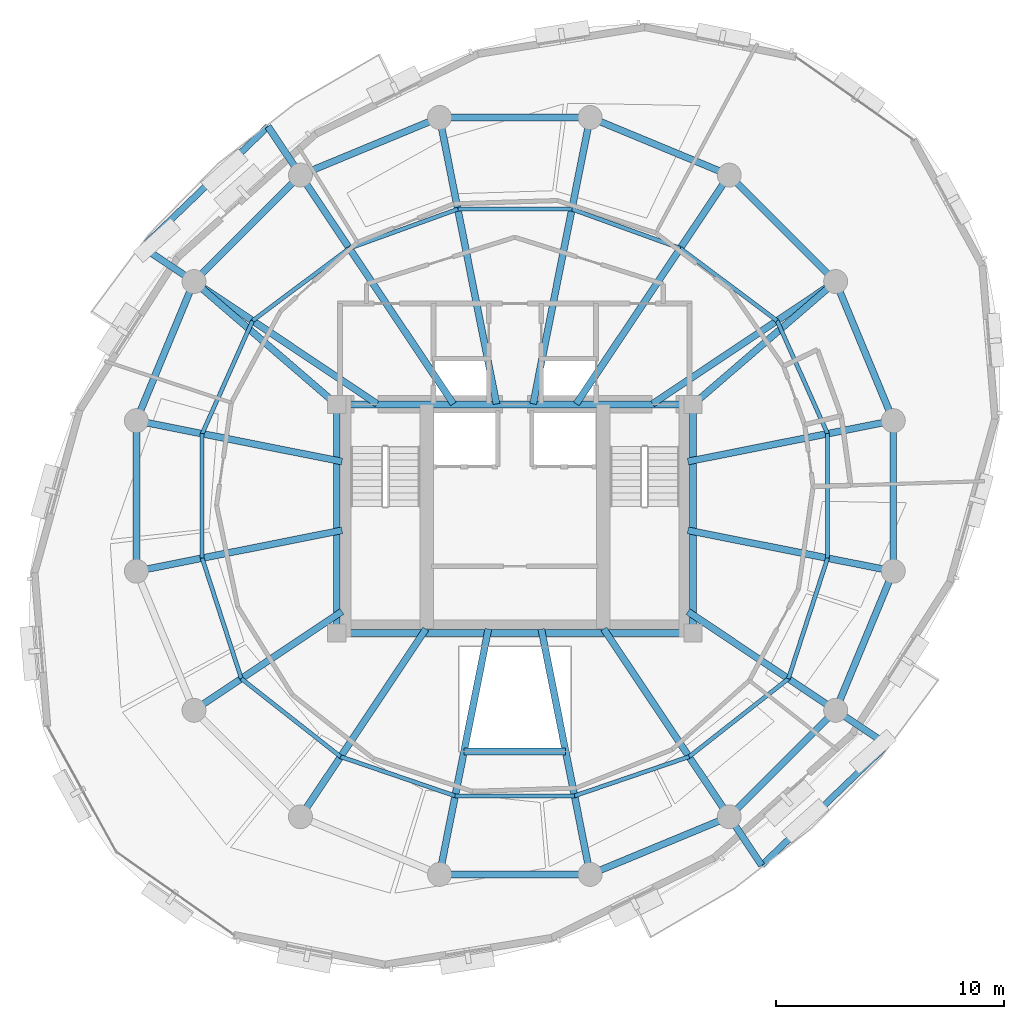
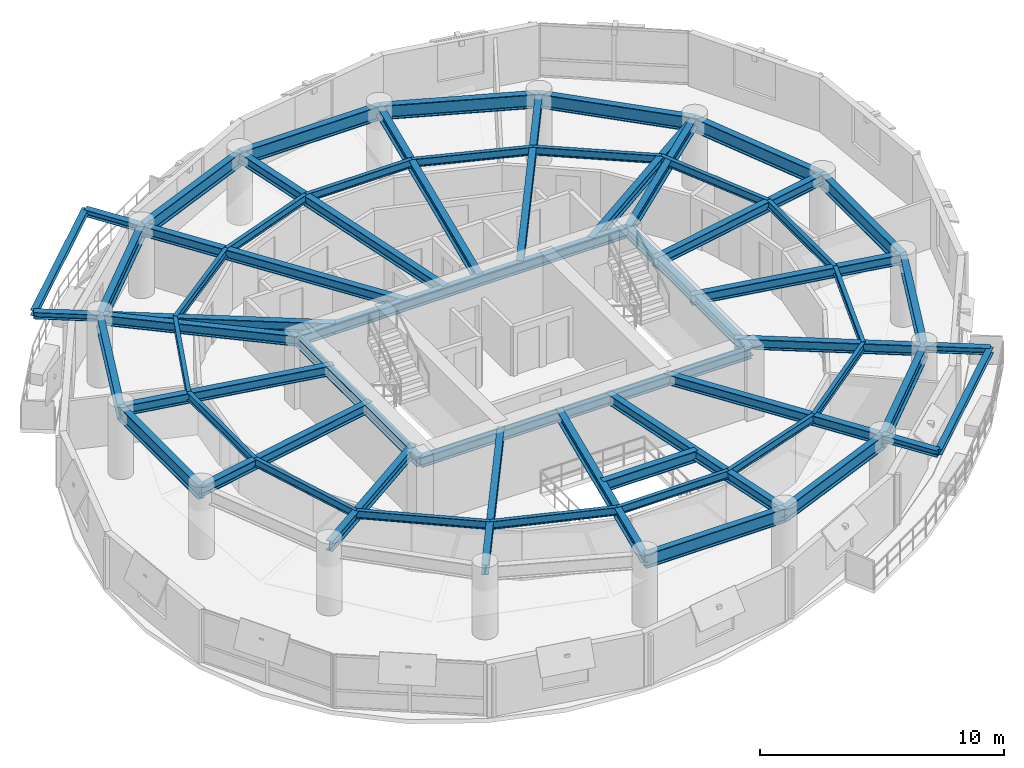
# One storey, part 5 of 12: 58 beams.
"""IFC4 building model written with IfcOpenShell, lengths in metres."""

from ifc_helpers import new_model, si_unit, direction, frame, origin, origin_2d, place, context, subcontext, project, spatial, i_section, extrude, material, material_profile, profile_set, type_object, element, save


model = new_model("IFC4")

# Units and contexts
model_context = context("Model", 3, precision=1e-05, world=origin(), true_north=direction((0.0, 1.0)))
body_context = subcontext(model_context, "Body", "Model", "MODEL_VIEW")
ifc_project = project(units=[si_unit("LENGTHUNIT", "METRE"), si_unit("AREAUNIT", "SQUARE_METRE"), si_unit("VOLUMEUNIT", "CUBIC_METRE"), si_unit("PLANEANGLEUNIT", "RADIAN"), si_unit("MASSUNIT", "GRAM", prefix="KILO"), si_unit("THERMODYNAMICTEMPERATUREUNIT", "KELVIN"), si_unit("POWERUNIT", "WATT")], contexts=[model_context])

# Site, building, storey
site_placement = place(None, origin())
site = spatial("IfcSite", under=ifc_project, at=site_placement, CompositionType="ELEMENT")
building_placement = place(site_placement, origin())
building = spatial("IfcBuilding", under=site, at=building_placement, Name="Ocrelia Relay Tower", CompositionType="ELEMENT")
storey_placement = place(building_placement, frame((0.0, 0.0, 206.0)))
storey = spatial("IfcBuildingStorey", under=building, at=storey_placement, Name="L50", CompositionType="ELEMENT", Elevation=206.0)

# Beams
ifc_material = material(Name="Steel S355", Category="steel")
ifc_material_profile_1 = material_profile(ifc_material, i_section(OverallWidth=0.280029296875, OverallDepth=0.27001953125, WebThickness=0.008056640625, FlangeThickness=0.012939453125, FilletRadius=0.02392578125, at=origin_2d()), Name="HEA 280")
ifc_profile_set_1 = profile_set([ifc_material_profile_1], Name="Steel S355")
beam_type_1 = type_object("IfcBeamType", Name="BM-HEA280", PredefinedType="BEAM", material=ifc_profile_set_1)
for number, where, z_axis, x_axis, name in (
    (1, (23.189453125, 42.17919921875, 3.2451171875), (-0.721259333791, -0.692665123577, 0.0), (0.692665123577, -0.721259333791, 0.0), "L51 Balcony Edge Trimmer Beam B1"),
    (2, (44.810546875, 9.82080078125, 3.2451171875), (0.721259333791, 0.692665123577, 0.0), (-0.692665123577, 0.721259333791, 0.0), "L51 Balcony Edge Trimmer Beam B2"),
):
    element("IfcBeam", number, at=place(storey_placement, frame(where, z_axis=z_axis, x_axis=x_axis)), inside=storey, type_object=beam_type_1, Name=name, PredefinedType="BEAM", context=body_context, shape_type="SweptSolid", body=[
        extrude(i_section(OverallWidth=0.280029296875, OverallDepth=0.27001953125, WebThickness=0.008056640625, FlangeThickness=0.012939453125, FilletRadius=0.02392578125, at=origin_2d()), origin(), (0.0, 0.0, 1.0), 7.62451171875),
    ])
ifc_material_profile_2 = material_profile(ifc_material, i_section(OverallWidth=0.300048828125, OverallDepth=0.330078125, WebThickness=0.009521484375, FlangeThickness=0.0166015625, FilletRadius=0.027099609375, at=origin_2d()), Name="HEA 340")
ifc_profile_set_2 = profile_set([ifc_material_profile_2], Name="Steel S355")
beam_type_2 = type_object("IfcBeamType", Name="BM-HEA340", PredefinedType="BEAM", material=ifc_profile_set_2)
beam_1_placement = place(storey_placement, frame((24.61083984375, 40.0517578125, 3.215087890625), z_axis=(-0.555536677891, 0.831492032144, 0.0), x_axis=(-0.831492032144, -0.555536677891, 0.0)))
element("IfcBeam", 3, at=beam_1_placement, inside=storey, type_object=beam_type_2, Name="L51 Balcony Cantilever Beam B1-1", PredefinedType="BEAM", context=body_context, shape_type="SweptSolid", body=[
    extrude(i_section(OverallWidth=0.300048828125, OverallDepth=0.330078125, WebThickness=0.009521484375, FlangeThickness=0.0166015625, FilletRadius=0.027099609375, at=origin_2d()), origin(), (0.0, 0.0, 1.0), 2.55859375),
])
beam_2_placement = place(storey_placement, frame((19.9482421875, 35.38916015625, 3.215087890625), z_axis=(-0.831468957085, 0.555571213621, 0.0), x_axis=(-0.555571213621, -0.831468957085, 0.0)))
element("IfcBeam", 4, at=beam_2_placement, inside=storey, type_object=beam_type_2, Name="L51 Balcony Cantilever Beam B1-2", PredefinedType="BEAM", context=body_context, shape_type="SweptSolid", body=[
    extrude(i_section(OverallWidth=0.300048828125, OverallDepth=0.330078125, WebThickness=0.009521484375, FlangeThickness=0.0166015625, FilletRadius=0.027099609375, at=origin_2d()), origin(), (0.0, 0.0, 1.0), 2.7158203125),
])
beam_3_placement = place(storey_placement, frame((43.38916015625, 11.9482421875, 3.215087890625), z_axis=(0.555536677891, -0.831492032144, 0.0), x_axis=(0.831492032144, 0.555536677891, 0.0)))
element("IfcBeam", 5, at=beam_3_placement, inside=storey, type_object=beam_type_2, Name="L51 Balcony Cantilever Beam B2-1", PredefinedType="BEAM", context=body_context, shape_type="SweptSolid", body=[
    extrude(i_section(OverallWidth=0.300048828125, OverallDepth=0.330078125, WebThickness=0.009521484375, FlangeThickness=0.0166015625, FilletRadius=0.027099609375, at=origin_2d()), origin(), (0.0, 0.0, 1.0), 2.55859375),
])
beam_4_placement = place(storey_placement, frame((48.0517578125, 16.61083984375, 3.215087890625), z_axis=(0.831468957085, -0.555571213621, 0.0), x_axis=(0.555571213621, 0.831468957085, 0.0)))
element("IfcBeam", 6, at=beam_4_placement, inside=storey, type_object=beam_type_2, Name="L51 Balcony Cantilever Beam B2-2", PredefinedType="BEAM", context=body_context, shape_type="SweptSolid", body=[
    extrude(i_section(OverallWidth=0.300048828125, OverallDepth=0.330078125, WebThickness=0.009521484375, FlangeThickness=0.0166015625, FilletRadius=0.027099609375, at=origin_2d()), origin(), (0.0, 0.0, 1.0), 2.7158203125),
])
ifc_material_profile_3 = material_profile(ifc_material, i_section(OverallWidth=0.300048828125, OverallDepth=0.5, WebThickness=0.014404296875, FlangeThickness=0.028076171875, FilletRadius=0.027099609375, at=origin_2d()), Name="HEB 500")
ifc_profile_set_3 = profile_set([ifc_material_profile_3], Name="Steel S355")
beam_type_3 = type_object("IfcBeamType", Name="BM-HEB500", PredefinedType="BEAM", material=ifc_profile_set_3)
for number, where, z_axis, x_axis, name in (
    (7, (26.199951171875, 20.0, 3.1298828125), (1.0, 0.0, 0.0), (0.0, 1.0, 0.0), "L50 Core Pilaster Tie Beam S"),
    (8, (26.199951171875, 30.0, 3.1298828125), (1.0, 0.0, 0.0), (0.0, 1.0, 0.0), "L50 Core Pilaster Tie Beam N"),
):
    element("IfcBeam", number, at=place(storey_placement, frame(where, z_axis=z_axis, x_axis=x_axis)), inside=storey, type_object=beam_type_3, Name=name, PredefinedType="BEAM", context=body_context, shape_type="SweptSolid", body=[
        extrude(i_section(OverallWidth=0.300048828125, OverallDepth=0.5, WebThickness=0.014404296875, FlangeThickness=0.028076171875, FilletRadius=0.027099609375, at=origin_2d()), origin(), (0.0, 0.0, 1.0), 15.60009765625),
    ])
for number, where, z_axis, x_axis, name in (
    (9, (26.199951171875, 20.0, 3.1298828125), (0.0, 1.0, 0.0), (-1.0, 0.0, 0.0), "L50 Core Pilaster Tie Beam W"),
    (10, (41.800048828125, 20.0, 3.1298828125), (0.0, 1.0, 0.0), (-1.0, 0.0, 0.0), "L50 Core Pilaster Tie Beam E"),
):
    element("IfcBeam", number, at=place(storey_placement, frame(where, z_axis=z_axis, x_axis=x_axis)), inside=storey, type_object=beam_type_3, Name=name, PredefinedType="BEAM", context=body_context, shape_type="SweptSolid", body=[
        extrude(i_section(OverallWidth=0.300048828125, OverallDepth=0.5, WebThickness=0.014404296875, FlangeThickness=0.028076171875, FilletRadius=0.027099609375, at=origin_2d()), origin(), (0.0, 0.0, 1.0), 10.0),
    ])
beam_5_placement = place(storey_placement, frame((50.5751953125, 29.297119140625, 3.1298828125), z_axis=(-0.980783891197, -0.1950973059, 0.0), x_axis=(0.1950973059, -0.980783891197, 0.0)))
element("IfcBeam", 11, at=beam_5_placement, inside=storey, type_object=beam_type_3, Name="L50 Radial Floor Girder R01", PredefinedType="BEAM", context=body_context, shape_type="SweptSolid", body=[
    extrude(i_section(OverallWidth=0.300048828125, OverallDepth=0.5, WebThickness=0.014404296875, FlangeThickness=0.028076171875, FilletRadius=0.027099609375, at=origin_2d()), origin(), (0.0, 0.0, 1.0), 9.17138671875),
])
beam_6_placement = place(storey_placement, frame((48.0517578125, 35.38916015625, 3.1298828125), z_axis=(-0.831469666235, -0.555570152305, 0.0), x_axis=(0.555570152305, -0.831469666235, 0.0)))
element("IfcBeam", 12, at=beam_6_placement, inside=storey, type_object=beam_type_3, Name="L50 Radial Floor Girder R02", PredefinedType="BEAM", context=body_context, shape_type="SweptSolid", body=[
    extrude(i_section(OverallWidth=0.300048828125, OverallDepth=0.5, WebThickness=0.014404296875, FlangeThickness=0.028076171875, FilletRadius=0.027099609375, at=origin_2d()), origin(), (0.0, 0.0, 1.0), 9.646240234375),
])
beam_7_placement = place(storey_placement, frame((48.0517578125, 35.38916015625, 3.1298828125), z_axis=(-0.757424589403, -0.652922653434, 0.0), x_axis=(0.652922653434, -0.757424589403, 0.0)))
element("IfcBeam", 13, at=beam_7_placement, inside=storey, type_object=beam_type_3, Name="L50 Core Pilaster Frame Tie Beam PT02", PredefinedType="BEAM", context=body_context, shape_type="SweptSolid", body=[
    extrude(i_section(OverallWidth=0.300048828125, OverallDepth=0.5, WebThickness=0.014404296875, FlangeThickness=0.028076171875, FilletRadius=0.027099609375, at=origin_2d()), origin(), (0.0, 0.0, 1.0), 8.25390625),
])
beam_8_placement = place(storey_placement, frame((43.38916015625, 40.0517578125, 3.1298828125), z_axis=(-0.55556932408, -0.831470219636, 0.0), x_axis=(0.831470219636, -0.55556932408, 0.0)))
element("IfcBeam", 14, at=beam_8_placement, inside=storey, type_object=beam_type_3, Name="L50 Radial Floor Girder R03", PredefinedType="BEAM", context=body_context, shape_type="SweptSolid", body=[
    extrude(i_section(OverallWidth=0.300048828125, OverallDepth=0.5, WebThickness=0.014404296875, FlangeThickness=0.028076171875, FilletRadius=0.027099609375, at=origin_2d()), origin(), (0.0, 0.0, 1.0), 12.052978515625),
])
for number, where, z_axis, x_axis, name in (
    (15, (37.297119140625, 42.5751953125, 3.1298828125), (-0.195106626135, -0.980782037171, 0.0), (0.980782037171, -0.195106626135, 0.0), "L50 Radial Floor Girder R04"),
    (16, (30.702880859375, 42.5751953125, 3.1298828125), (0.195106626135, -0.980782037171, 0.0), (0.980782037171, 0.195106626135, 0.0), "L50 Radial Floor Girder R05"),
):
    element("IfcBeam", number, at=place(storey_placement, frame(where, z_axis=z_axis, x_axis=x_axis)), inside=storey, type_object=beam_type_3, Name=name, PredefinedType="BEAM", context=body_context, shape_type="SweptSolid", body=[
        extrude(i_section(OverallWidth=0.300048828125, OverallDepth=0.5, WebThickness=0.014404296875, FlangeThickness=0.028076171875, FilletRadius=0.027099609375, at=origin_2d()), origin(), (0.0, 0.0, 1.0), 12.791015625),
    ])
beam_9_placement = place(storey_placement, frame((24.61083984375, 40.0517578125, 3.1298828125), z_axis=(0.55556932408, -0.831470219636, 0.0), x_axis=(0.831470219636, 0.55556932408, 0.0)))
element("IfcBeam", 17, at=beam_9_placement, inside=storey, type_object=beam_type_3, Name="L50 Radial Floor Girder R06", PredefinedType="BEAM", context=body_context, shape_type="SweptSolid", body=[
    extrude(i_section(OverallWidth=0.300048828125, OverallDepth=0.5, WebThickness=0.014404296875, FlangeThickness=0.028076171875, FilletRadius=0.027099609375, at=origin_2d()), origin(), (0.0, 0.0, 1.0), 12.052978515625),
])
beam_10_placement = place(storey_placement, frame((19.9482421875, 35.38916015625, 3.1298828125), z_axis=(0.831469666235, -0.555570152305, 0.0), x_axis=(0.555570152305, 0.831469666235, 0.0)))
element("IfcBeam", 18, at=beam_10_placement, inside=storey, type_object=beam_type_3, Name="L50 Radial Floor Girder R07", PredefinedType="BEAM", context=body_context, shape_type="SweptSolid", body=[
    extrude(i_section(OverallWidth=0.300048828125, OverallDepth=0.5, WebThickness=0.014404296875, FlangeThickness=0.028076171875, FilletRadius=0.027099609375, at=origin_2d()), origin(), (0.0, 0.0, 1.0), 9.646240234375),
])
beam_11_placement = place(storey_placement, frame((19.9482421875, 35.38916015625, 3.1298828125), z_axis=(0.757424589403, -0.652922653434, 0.0), x_axis=(0.652922653434, 0.757424589403, 0.0)))
element("IfcBeam", 19, at=beam_11_placement, inside=storey, type_object=beam_type_3, Name="L50 Core Pilaster Frame Tie Beam PT07", PredefinedType="BEAM", context=body_context, shape_type="SweptSolid", body=[
    extrude(i_section(OverallWidth=0.300048828125, OverallDepth=0.5, WebThickness=0.014404296875, FlangeThickness=0.028076171875, FilletRadius=0.027099609375, at=origin_2d()), origin(), (0.0, 0.0, 1.0), 8.25390625),
])
for number, where, z_axis, x_axis, name in (
    (20, (17.4248046875, 29.297119140625, 3.1298828125), (0.980784683446, -0.195093323097, 0.0), (0.195093323097, 0.980784683446, 0.0), "L50 Radial Floor Girder R08"),
    (21, (17.4248046875, 22.702880859375, 3.1298828125), (0.980784683446, 0.195093323097, 0.0), (-0.195093323097, 0.980784683446, 0.0), "L50 Radial Floor Girder R09"),
):
    element("IfcBeam", number, at=place(storey_placement, frame(where, z_axis=z_axis, x_axis=x_axis)), inside=storey, type_object=beam_type_3, Name=name, PredefinedType="BEAM", context=body_context, shape_type="SweptSolid", body=[
        extrude(i_section(OverallWidth=0.300048828125, OverallDepth=0.5, WebThickness=0.014404296875, FlangeThickness=0.028076171875, FilletRadius=0.027099609375, at=origin_2d()), origin(), (0.0, 0.0, 1.0), 9.181640625),
    ])
beam_12_placement = place(storey_placement, frame((19.9482421875, 16.61083984375, 3.1298828125), z_axis=(0.831462012084, 0.555581607382, 0.0), x_axis=(-0.555581607382, 0.831462012084, 0.0)))
element("IfcBeam", 22, at=beam_12_placement, inside=storey, type_object=beam_type_3, Name="L50 Radial Floor Girder R10", PredefinedType="BEAM", context=body_context, shape_type="SweptSolid", body=[
    extrude(i_section(OverallWidth=0.300048828125, OverallDepth=0.5, WebThickness=0.014404296875, FlangeThickness=0.028076171875, FilletRadius=0.027099609375, at=origin_2d()), origin(), (0.0, 0.0, 1.0), 7.795654296875),
])
beam_13_placement = place(storey_placement, frame((24.61083984375, 11.9482421875, 3.1298828125), z_axis=(0.555577337069, 0.831464865485, 0.0), x_axis=(-0.831464865485, 0.555577337069, 0.0)))
element("IfcBeam", 23, at=beam_13_placement, inside=storey, type_object=beam_type_3, Name="L50 Radial Floor Girder R11", PredefinedType="BEAM", context=body_context, shape_type="SweptSolid", body=[
    extrude(i_section(OverallWidth=0.300048828125, OverallDepth=0.5, WebThickness=0.014404296875, FlangeThickness=0.028076171875, FilletRadius=0.027099609375, at=origin_2d()), origin(), (0.0, 0.0, 1.0), 9.88818359375),
])
for number, where, z_axis, x_axis, name in (
    (24, (30.702880859375, 9.4248046875, 3.1298828125), (0.195100373206, 0.980783281044, 0.0), (-0.980783281044, 0.195100373206, 0.0), "L50 Radial Floor Girder R12"),
    (25, (37.297119140625, 9.4248046875, 3.1298828125), (-0.195100373206, 0.980783281044, 0.0), (-0.980783281044, -0.195100373206, 0.0), "L50 Radial Floor Girder R13"),
):
    element("IfcBeam", number, at=place(storey_placement, frame(where, z_axis=z_axis, x_axis=x_axis)), inside=storey, type_object=beam_type_3, Name=name, PredefinedType="BEAM", context=body_context, shape_type="SweptSolid", body=[
        extrude(i_section(OverallWidth=0.300048828125, OverallDepth=0.5, WebThickness=0.014404296875, FlangeThickness=0.028076171875, FilletRadius=0.027099609375, at=origin_2d()), origin(), (0.0, 0.0, 1.0), 10.95556640625),
    ])
beam_14_placement = place(storey_placement, frame((43.38916015625, 11.9482421875, 3.1298828125), z_axis=(-0.555577337069, 0.831464865485, 0.0), x_axis=(-0.831464865485, -0.555577337069, 0.0)))
element("IfcBeam", 26, at=beam_14_placement, inside=storey, type_object=beam_type_3, Name="L50 Radial Floor Girder R14", PredefinedType="BEAM", context=body_context, shape_type="SweptSolid", body=[
    extrude(i_section(OverallWidth=0.300048828125, OverallDepth=0.5, WebThickness=0.014404296875, FlangeThickness=0.028076171875, FilletRadius=0.027099609375, at=origin_2d()), origin(), (0.0, 0.0, 1.0), 9.88818359375),
])
beam_15_placement = place(storey_placement, frame((48.0517578125, 16.61083984375, 3.1298828125), z_axis=(-0.831456272244, 0.555590197309, 0.0), x_axis=(-0.555590197309, -0.831456272244, 0.0)))
element("IfcBeam", 27, at=beam_15_placement, inside=storey, type_object=beam_type_3, Name="L50 Radial Floor Girder R15", PredefinedType="BEAM", context=body_context, shape_type="SweptSolid", body=[
    extrude(i_section(OverallWidth=0.300048828125, OverallDepth=0.5, WebThickness=0.014404296875, FlangeThickness=0.028076171875, FilletRadius=0.027099609375, at=origin_2d()), origin(), (0.0, 0.0, 1.0), 7.783447265625),
])
beam_16_placement = place(storey_placement, frame((50.5751953125, 22.702880859375, 3.1298828125), z_axis=(-0.980783891197, 0.1950973059, 0.0), x_axis=(-0.1950973059, -0.980783891197, 0.0)))
element("IfcBeam", 28, at=beam_16_placement, inside=storey, type_object=beam_type_3, Name="L50 Radial Floor Girder R16", PredefinedType="BEAM", context=body_context, shape_type="SweptSolid", body=[
    extrude(i_section(OverallWidth=0.300048828125, OverallDepth=0.5, WebThickness=0.014404296875, FlangeThickness=0.028076171875, FilletRadius=0.027099609375, at=origin_2d()), origin(), (0.0, 0.0, 1.0), 9.17138671875),
])
ifc_material_profile_4 = material_profile(ifc_material, i_section(OverallWidth=0.300048828125, OverallDepth=0.550048828125, WebThickness=0.014892578125, FlangeThickness=0.029052734375, FilletRadius=0.027099609375, at=origin_2d()), Name="HEB 550")
ifc_profile_set_4 = profile_set([ifc_material_profile_4], Name="Steel S355")
beam_type_4 = type_object("IfcBeamType", Name="BM-HEB550", PredefinedType="BEAM", material=ifc_profile_set_4)
beam_17_placement = place(storey_placement, frame((31.772216796875, 14.800048828125, 3.10498046875), z_axis=(1.0, 0.0, 0.0), x_axis=(0.0, 1.0, 0.0)))
element("IfcBeam", 29, at=beam_17_placement, inside=storey, type_object=beam_type_4, Name="L50 Atrium South Trimmer Beam", PredefinedType="BEAM", context=body_context, shape_type="SweptSolid", body=[
    extrude(i_section(OverallWidth=0.300048828125, OverallDepth=0.550048828125, WebThickness=0.014892578125, FlangeThickness=0.029052734375, FilletRadius=0.027099609375, at=origin_2d()), origin(), (0.0, 0.0, 1.0), 4.45556640625),
])
ifc_material_profile_5 = material_profile(ifc_material, i_section(OverallWidth=0.300048828125, OverallDepth=0.699951171875, WebThickness=0.01708984375, FlangeThickness=0.031982421875, FilletRadius=0.027099609375, at=origin_2d()), Name="HEB 700")
ifc_profile_set_5 = profile_set([ifc_material_profile_5], Name="Steel S355")
beam_type_5 = type_object("IfcBeamType", Name="BM-HEB700", PredefinedType="BEAM", material=ifc_profile_set_5)
for number, where, z_axis, x_axis, name in (
    (30, (50.5751953125, 29.297119140625, 3.030029296875), (-0.382687508402, 0.923877844151, 0.0), (-0.923877844151, -0.382687508402, 0.0), "L50 Perimeter Spandrel Beam S01"),
    (31, (48.0517578125, 35.38916015625, 3.030029296875), (-0.707106781187, 0.707106781187, 0.0), (-0.707106781187, -0.707106781187, 0.0), "L50 Perimeter Spandrel Beam S02"),
    (32, (43.38916015625, 40.0517578125, 3.030029296875), (-0.923877844151, 0.382687508402, 0.0), (-0.382687508402, -0.923877844151, 0.0), "L50 Perimeter Spandrel Beam S03"),
):
    element("IfcBeam", number, at=place(storey_placement, frame(where, z_axis=z_axis, x_axis=x_axis)), inside=storey, type_object=beam_type_5, Name=name, PredefinedType="BEAM", context=body_context, shape_type="SweptSolid", body=[
        extrude(i_section(OverallWidth=0.300048828125, OverallDepth=0.699951171875, WebThickness=0.01708984375, FlangeThickness=0.031982421875, FilletRadius=0.027099609375, at=origin_2d()), origin(), (0.0, 0.0, 1.0), 6.593994140625),
    ])
beam_18_placement = place(storey_placement, frame((37.297119140625, 42.5751953125, 3.030029296875), z_axis=(-1.0, 0.0, 0.0), x_axis=(0.0, -1.0, 0.0)))
element("IfcBeam", 33, at=beam_18_placement, inside=storey, type_object=beam_type_5, Name="L50 Perimeter Spandrel Beam S04", PredefinedType="BEAM", context=body_context, shape_type="SweptSolid", body=[
    extrude(i_section(OverallWidth=0.300048828125, OverallDepth=0.699951171875, WebThickness=0.01708984375, FlangeThickness=0.031982421875, FilletRadius=0.027099609375, at=origin_2d()), origin(), (0.0, 0.0, 1.0), 6.59423828125),
])
for number, where, z_axis, x_axis, name in (
    (34, (30.702880859375, 42.5751953125, 3.030029296875), (-0.923877844151, -0.382687508402, 0.0), (0.382687508402, -0.923877844151, 0.0), "L50 Perimeter Spandrel Beam S05"),
    (35, (24.61083984375, 40.0517578125, 3.030029296875), (-0.707106781187, -0.707106781187, 0.0), (0.707106781187, -0.707106781187, 0.0), "L50 Perimeter Spandrel Beam S06"),
    (36, (19.9482421875, 35.38916015625, 3.030029296875), (-0.382687508402, -0.923877844151, 0.0), (0.923877844151, -0.382687508402, 0.0), "L50 Perimeter Spandrel Beam S07"),
):
    element("IfcBeam", number, at=place(storey_placement, frame(where, z_axis=z_axis, x_axis=x_axis)), inside=storey, type_object=beam_type_5, Name=name, PredefinedType="BEAM", context=body_context, shape_type="SweptSolid", body=[
        extrude(i_section(OverallWidth=0.300048828125, OverallDepth=0.699951171875, WebThickness=0.01708984375, FlangeThickness=0.031982421875, FilletRadius=0.027099609375, at=origin_2d()), origin(), (0.0, 0.0, 1.0), 6.593994140625),
    ])
for number, where, z_axis, x_axis, name in (
    (37, (17.4248046875, 29.297119140625, 3.030029296875), (0.0, -1.0, 0.0), (1.0, 0.0, 0.0), "L50 Perimeter Spandrel Beam S08"),
    (38, (30.702880859375, 9.4248046875, 3.030029296875), (1.0, 0.0, 0.0), (0.0, 1.0, 0.0), "L50 Perimeter Spandrel Beam S12"),
):
    element("IfcBeam", number, at=place(storey_placement, frame(where, z_axis=z_axis, x_axis=x_axis)), inside=storey, type_object=beam_type_5, Name=name, PredefinedType="BEAM", context=body_context, shape_type="SweptSolid", body=[
        extrude(i_section(OverallWidth=0.300048828125, OverallDepth=0.699951171875, WebThickness=0.01708984375, FlangeThickness=0.031982421875, FilletRadius=0.027099609375, at=origin_2d()), origin(), (0.0, 0.0, 1.0), 6.59423828125),
    ])
for number, where, z_axis, x_axis, name in (
    (39, (37.297119140625, 9.4248046875, 3.030029296875), (0.923877844151, 0.382687508402, 0.0), (-0.382687508402, 0.923877844151, 0.0), "L50 Perimeter Spandrel Beam S13"),
    (40, (43.38916015625, 11.9482421875, 3.030029296875), (0.707106781187, 0.707106781187, 0.0), (-0.707106781187, 0.707106781187, 0.0), "L50 Perimeter Spandrel Beam S14"),
    (41, (48.0517578125, 16.61083984375, 3.030029296875), (0.382687508402, 0.923877844151, 0.0), (-0.923877844151, 0.382687508402, 0.0), "L50 Perimeter Spandrel Beam S15"),
):
    element("IfcBeam", number, at=place(storey_placement, frame(where, z_axis=z_axis, x_axis=x_axis)), inside=storey, type_object=beam_type_5, Name=name, PredefinedType="BEAM", context=body_context, shape_type="SweptSolid", body=[
        extrude(i_section(OverallWidth=0.300048828125, OverallDepth=0.699951171875, WebThickness=0.01708984375, FlangeThickness=0.031982421875, FilletRadius=0.027099609375, at=origin_2d()), origin(), (0.0, 0.0, 1.0), 6.593994140625),
    ])
beam_19_placement = place(storey_placement, frame((50.5751953125, 22.702880859375, 3.030029296875), z_axis=(0.0, 1.0, 0.0), x_axis=(-1.0, 0.0, 0.0)))
element("IfcBeam", 42, at=beam_19_placement, inside=storey, type_object=beam_type_5, Name="L50 Perimeter Spandrel Beam S16", PredefinedType="BEAM", context=body_context, shape_type="SweptSolid", body=[
    extrude(i_section(OverallWidth=0.300048828125, OverallDepth=0.699951171875, WebThickness=0.01708984375, FlangeThickness=0.031982421875, FilletRadius=0.027099609375, at=origin_2d()), origin(), (0.0, 0.0, 1.0), 6.59423828125),
])
ifc_material_profile_6 = material_profile(ifc_material, i_section(OverallWidth=0.179931640625, OverallDepth=0.39990234375, WebThickness=0.008544921875, FlangeThickness=0.013427734375, FilletRadius=0.02099609375, at=origin_2d()), Name="IPE 400")
ifc_profile_set_6 = profile_set([ifc_material_profile_6], Name="Steel S355")
beam_type_6 = type_object("IfcBeamType", Name="BM-IPE400", PredefinedType="JOIST", material=ifc_profile_set_6)
beam_20_placement = place(storey_placement, frame((47.69677734375, 28.724365234375, 3.179931640625), z_axis=(-0.407938464853, 0.913009424318, 0.0), x_axis=(-0.913009424318, -0.407938464853, 0.0)))
element("IfcBeam", 43, at=beam_20_placement, inside=storey, type_object=beam_type_6, Name="L50 Secondary Floor Joist J01", PredefinedType="JOIST", context=body_context, shape_type="SweptSolid", body=[
    extrude(i_section(OverallWidth=0.179931640625, OverallDepth=0.39990234375, WebThickness=0.008544921875, FlangeThickness=0.013427734375, FilletRadius=0.02099609375, at=origin_2d()), origin(), (0.0, 0.0, 1.0), 5.421630859375),
])
beam_21_placement = place(storey_placement, frame((45.485107421875, 33.67431640625, 3.179931640625), z_axis=(-0.800785247359, 0.598951573678, 0.0), x_axis=(-0.598951573678, -0.800785247359, 0.0)))
element("IfcBeam", 44, at=beam_21_placement, inside=storey, type_object=beam_type_6, Name="L50 Secondary Floor Joist J02", PredefinedType="JOIST", context=body_context, shape_type="SweptSolid", body=[
    extrude(i_section(OverallWidth=0.179931640625, OverallDepth=0.39990234375, WebThickness=0.008544921875, FlangeThickness=0.013427734375, FilletRadius=0.02099609375, at=origin_2d()), origin(), (0.0, 0.0, 1.0), 5.293212890625),
])
beam_22_placement = place(storey_placement, frame((41.246337890625, 36.8447265625, 3.179931640625), z_axis=(-0.940453871246, 0.339921338046, 0.0), x_axis=(-0.339921338046, -0.940453871246, 0.0)))
element("IfcBeam", 45, at=beam_22_placement, inside=storey, type_object=beam_type_6, Name="L50 Secondary Floor Joist J03", PredefinedType="JOIST", context=body_context, shape_type="SweptSolid", body=[
    extrude(i_section(OverallWidth=0.179931640625, OverallDepth=0.39990234375, WebThickness=0.008544921875, FlangeThickness=0.013427734375, FilletRadius=0.02099609375, at=origin_2d()), origin(), (0.0, 0.0, 1.0), 5.04833984375),
])
beam_23_placement = place(storey_placement, frame((36.49853515625, 38.560791015625, 3.179931640625), z_axis=(-1.0, 0.0, 0.0), x_axis=(0.0, -1.0, 0.0)))
element("IfcBeam", 46, at=beam_23_placement, inside=storey, type_object=beam_type_6, Name="L50 Secondary Floor Joist J04", PredefinedType="JOIST", context=body_context, shape_type="SweptSolid", body=[
    extrude(i_section(OverallWidth=0.179931640625, OverallDepth=0.39990234375, WebThickness=0.008544921875, FlangeThickness=0.013427734375, FilletRadius=0.02099609375, at=origin_2d()), origin(), (0.0, 0.0, 1.0), 4.9970703125),
])
beam_24_placement = place(storey_placement, frame((31.50146484375, 38.560791015625, 3.179931640625), z_axis=(-0.940453871246, -0.339921338046, 0.0), x_axis=(0.339921338046, -0.940453871246, 0.0)))
element("IfcBeam", 47, at=beam_24_placement, inside=storey, type_object=beam_type_6, Name="L50 Secondary Floor Joist J05", PredefinedType="JOIST", context=body_context, shape_type="SweptSolid", body=[
    extrude(i_section(OverallWidth=0.179931640625, OverallDepth=0.39990234375, WebThickness=0.008544921875, FlangeThickness=0.013427734375, FilletRadius=0.02099609375, at=origin_2d()), origin(), (0.0, 0.0, 1.0), 5.04833984375),
])
beam_25_placement = place(storey_placement, frame((26.753662109375, 36.8447265625, 3.179931640625), z_axis=(-0.800785247359, -0.598951573678, 0.0), x_axis=(0.598951573678, -0.800785247359, 0.0)))
element("IfcBeam", 48, at=beam_25_placement, inside=storey, type_object=beam_type_6, Name="L50 Secondary Floor Joist J06", PredefinedType="JOIST", context=body_context, shape_type="SweptSolid", body=[
    extrude(i_section(OverallWidth=0.179931640625, OverallDepth=0.39990234375, WebThickness=0.008544921875, FlangeThickness=0.013427734375, FilletRadius=0.02099609375, at=origin_2d()), origin(), (0.0, 0.0, 1.0), 5.293212890625),
])
beam_26_placement = place(storey_placement, frame((22.514892578125, 33.67431640625, 3.179931640625), z_axis=(-0.407416785709, -0.913242335157, 0.0), x_axis=(0.913242335157, -0.407416785709, 0.0)))
element("IfcBeam", 49, at=beam_26_placement, inside=storey, type_object=beam_type_6, Name="L50 Secondary Floor Joist J07", PredefinedType="JOIST", context=body_context, shape_type="SweptSolid", body=[
    extrude(i_section(OverallWidth=0.179931640625, OverallDepth=0.39990234375, WebThickness=0.008544921875, FlangeThickness=0.013427734375, FilletRadius=0.02099609375, at=origin_2d()), origin(), (0.0, 0.0, 1.0), 5.420654296875),
])
beam_27_placement = place(storey_placement, frame((20.306396484375, 28.723876953125, 3.179931640625), z_axis=(0.0, -1.0, 0.0), x_axis=(1.0, 0.0, 0.0)))
element("IfcBeam", 50, at=beam_27_placement, inside=storey, type_object=beam_type_6, Name="L50 Secondary Floor Joist J08", PredefinedType="JOIST", context=body_context, shape_type="SweptSolid", body=[
    extrude(i_section(OverallWidth=0.179931640625, OverallDepth=0.39990234375, WebThickness=0.008544921875, FlangeThickness=0.013427734375, FilletRadius=0.02099609375, at=origin_2d()), origin(), (0.0, 0.0, 1.0), 5.44775390625),
])
beam_28_placement = place(storey_placement, frame((20.306396484375, 23.276123046875, 3.179931640625), z_axis=(0.309133805786, -0.951018554036, 0.0), x_axis=(0.951018554036, 0.309133805786, 0.0)))
element("IfcBeam", 51, at=beam_28_placement, inside=storey, type_object=beam_type_6, Name="L50 Secondary Floor Joist J09", PredefinedType="JOIST", context=body_context, shape_type="SweptSolid", body=[
    extrude(i_section(OverallWidth=0.179931640625, OverallDepth=0.39990234375, WebThickness=0.008544921875, FlangeThickness=0.013427734375, FilletRadius=0.02099609375, at=origin_2d()), origin(), (0.0, 0.0, 1.0), 5.55126953125),
])
beam_29_placement = place(storey_placement, frame((22.0224609375, 17.996826171875, 3.179931640625), z_axis=(0.786083859045, -0.618119864224, 0.0), x_axis=(0.618119864224, 0.786083859045, 0.0)))
element("IfcBeam", 52, at=beam_29_placement, inside=storey, type_object=beam_type_6, Name="L50 Secondary Floor Joist J10", PredefinedType="JOIST", context=body_context, shape_type="SweptSolid", body=[
    extrude(i_section(OverallWidth=0.179931640625, OverallDepth=0.39990234375, WebThickness=0.008544921875, FlangeThickness=0.013427734375, FilletRadius=0.02099609375, at=origin_2d()), origin(), (0.0, 0.0, 1.0), 5.529296875),
])
beam_30_placement = place(storey_placement, frame((26.368896484375, 14.5791015625, 3.179931640625), z_axis=(0.946215174492, -0.323538009454, 0.0), x_axis=(0.323538009454, 0.946215174492, 0.0)))
element("IfcBeam", 53, at=beam_30_placement, inside=storey, type_object=beam_type_6, Name="L50 Secondary Floor Joist J11", PredefinedType="JOIST", context=body_context, shape_type="SweptSolid", body=[
    extrude(i_section(OverallWidth=0.179931640625, OverallDepth=0.39990234375, WebThickness=0.008544921875, FlangeThickness=0.013427734375, FilletRadius=0.02099609375, at=origin_2d()), origin(), (0.0, 0.0, 1.0), 5.30322265625),
])
beam_31_placement = place(storey_placement, frame((31.386962890625, 12.86328125, 3.179931640625), z_axis=(1.0, 0.0, 0.0), x_axis=(0.0, 1.0, 0.0)))
element("IfcBeam", 54, at=beam_31_placement, inside=storey, type_object=beam_type_6, Name="L50 Secondary Floor Joist J12", PredefinedType="JOIST", context=body_context, shape_type="SweptSolid", body=[
    extrude(i_section(OverallWidth=0.179931640625, OverallDepth=0.39990234375, WebThickness=0.008544921875, FlangeThickness=0.013427734375, FilletRadius=0.02099609375, at=origin_2d()), origin(), (0.0, 0.0, 1.0), 5.22607421875),
])
beam_32_placement = place(storey_placement, frame((36.613037109375, 12.86328125, 3.179931640625), z_axis=(0.946215174492, 0.323538009454, 0.0), x_axis=(-0.323538009454, 0.946215174492, 0.0)))
element("IfcBeam", 55, at=beam_32_placement, inside=storey, type_object=beam_type_6, Name="L50 Secondary Floor Joist J13", PredefinedType="JOIST", context=body_context, shape_type="SweptSolid", body=[
    extrude(i_section(OverallWidth=0.179931640625, OverallDepth=0.39990234375, WebThickness=0.008544921875, FlangeThickness=0.013427734375, FilletRadius=0.02099609375, at=origin_2d()), origin(), (0.0, 0.0, 1.0), 5.30322265625),
])
beam_33_placement = place(storey_placement, frame((41.631103515625, 14.5791015625, 3.179931640625), z_axis=(0.78649600233, 0.617595367793, 0.0), x_axis=(-0.617595367793, 0.78649600233, 0.0)))
element("IfcBeam", 56, at=beam_33_placement, inside=storey, type_object=beam_type_6, Name="L50 Secondary Floor Joist J14", PredefinedType="JOIST", context=body_context, shape_type="SweptSolid", body=[
    extrude(i_section(OverallWidth=0.179931640625, OverallDepth=0.39990234375, WebThickness=0.008544921875, FlangeThickness=0.013427734375, FilletRadius=0.02099609375, at=origin_2d()), origin(), (0.0, 0.0, 1.0), 5.5302734375),
])
beam_34_placement = place(storey_placement, frame((45.980712890625, 17.99462890625, 3.179931640625), z_axis=(0.309043322978, 0.95104796121, 0.0), x_axis=(-0.95104796121, 0.309043322978, 0.0)))
element("IfcBeam", 57, at=beam_34_placement, inside=storey, type_object=beam_type_6, Name="L50 Secondary Floor Joist J15", PredefinedType="JOIST", context=body_context, shape_type="SweptSolid", body=[
    extrude(i_section(OverallWidth=0.179931640625, OverallDepth=0.39990234375, WebThickness=0.008544921875, FlangeThickness=0.013427734375, FilletRadius=0.02099609375, at=origin_2d()), origin(), (0.0, 0.0, 1.0), 5.552734375),
])
beam_35_placement = place(storey_placement, frame((47.69677734375, 23.275634765625, 3.179931640625), z_axis=(0.0, 1.0, 0.0), x_axis=(-1.0, 0.0, 0.0)))
element("IfcBeam", 58, at=beam_35_placement, inside=storey, type_object=beam_type_6, Name="L50 Secondary Floor Joist J16", PredefinedType="JOIST", context=body_context, shape_type="SweptSolid", body=[
    extrude(i_section(OverallWidth=0.179931640625, OverallDepth=0.39990234375, WebThickness=0.008544921875, FlangeThickness=0.013427734375, FilletRadius=0.02099609375, at=origin_2d()), origin(), (0.0, 0.0, 1.0), 5.44873046875),
])

save(model, "model.ifc")
